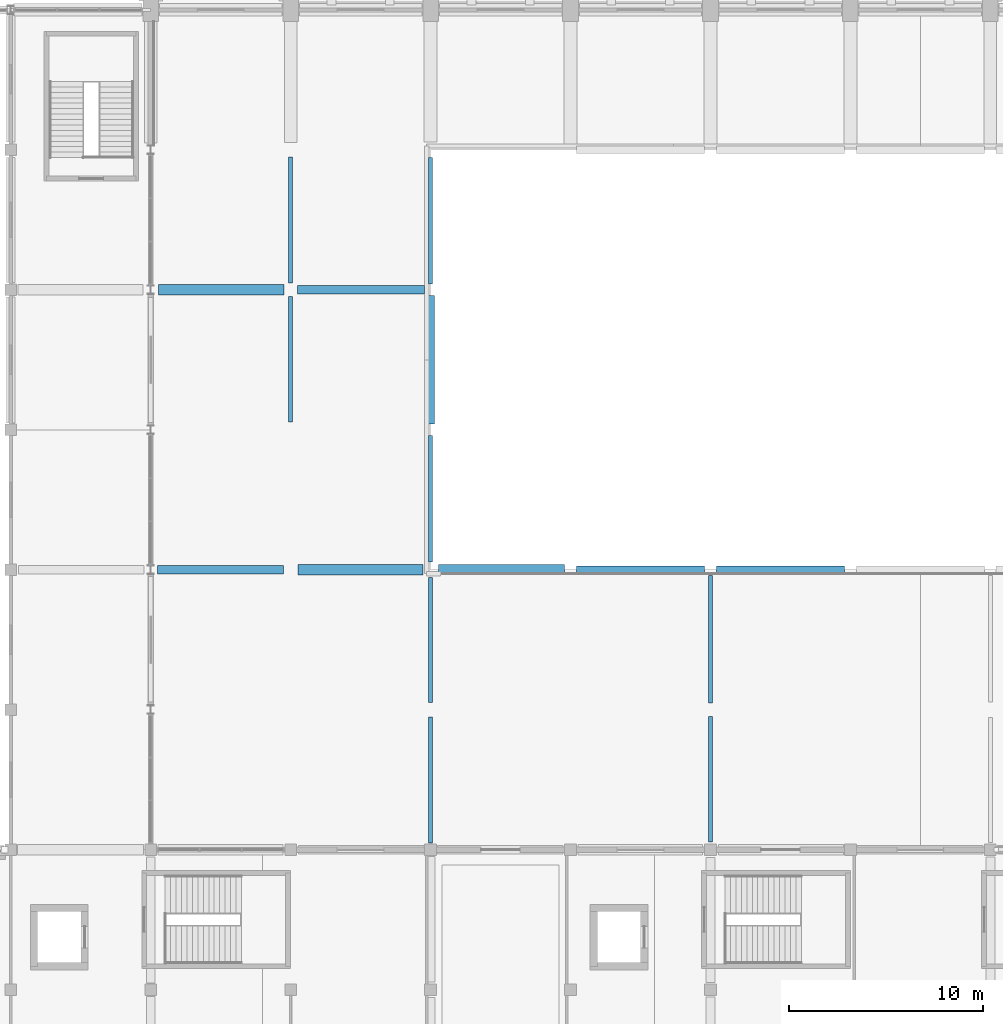
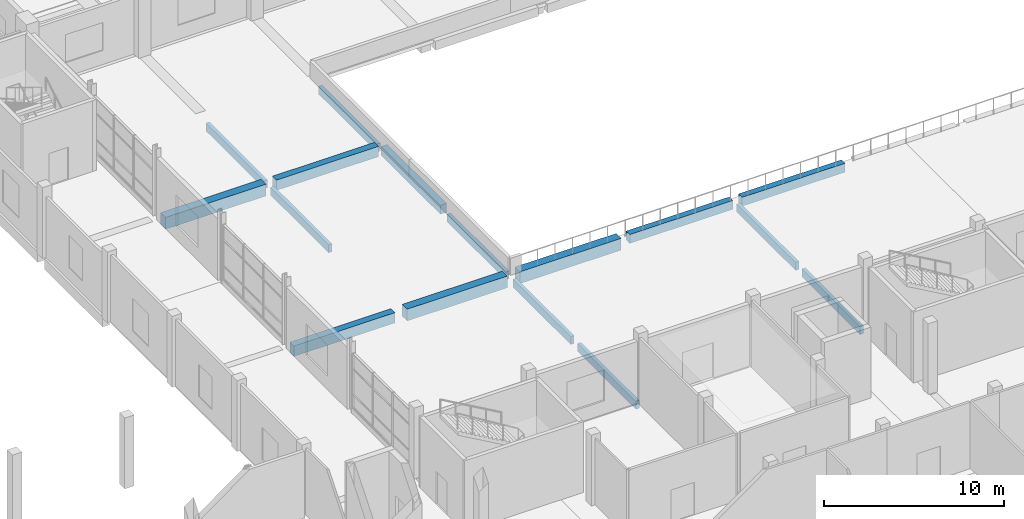
# One storey, part 26 of 82: 16 beams.
"""IFC4 building model written with IfcOpenShell, lengths in metres."""

from ifc_helpers import new_model, si_unit, direction, frame, origin, origin_2d, place, context, subcontext, project, spatial, rectangle, extrude, material, material_profile, profile_set, type_object, element, save


model = new_model("IFC4")

# Units and contexts
model_context = context("Model", 3, precision=1e-05, world=origin(), true_north=direction((0.0, 1.0)))
body_context = subcontext(model_context, "Body", "Model", "MODEL_VIEW")
ifc_project = project(units=[si_unit("LENGTHUNIT", "METRE"), si_unit("AREAUNIT", "SQUARE_METRE"), si_unit("VOLUMEUNIT", "CUBIC_METRE"), si_unit("PLANEANGLEUNIT", "RADIAN"), si_unit("MASSUNIT", "GRAM", prefix="KILO")], contexts=[model_context])

# Site, building, storey
site_placement = place(None, origin())
site = spatial("IfcSite", under=ifc_project, at=site_placement, CompositionType="ELEMENT")
building_placement = place(site_placement, origin())
building = spatial("IfcBuilding", under=site, at=building_placement, Name="Sardonyx Promenade Sports Hall", CompositionType="ELEMENT")
storey_placement = place(building_placement, frame((0.0, 0.0, 11.199951171875)))
storey = spatial("IfcBuildingStorey", under=building, at=storey_placement, Name="L02", CompositionType="ELEMENT", Elevation=11.199951171875)

# Beams
ifc_material_1 = material(Name="Glulam GL28h", Category="wood")
ifc_material_profile_1 = material_profile(ifc_material_1, rectangle(XDim=0.219970703125, YDim=0.5400390625, at=origin_2d()))
ifc_profile_set_1 = profile_set([ifc_material_profile_1], Name="Glulam GL28h")
beam_type_1 = type_object("IfcBeamType", Name="Bm_Gallery_GL540", PredefinedType="BEAM", material=ifc_profile_set_1)
beam_1_placement = place(storey_placement, frame((36.0, 50.800048828125, -0.510009765625), z_axis=(0.0, 1.0, 0.0), x_axis=(-1.0, 0.0, 0.0)))
element("IfcBeam", 1, at=beam_1_placement, inside=storey, type_object=beam_type_1, Name="Beam GLB2 L02 #589", PredefinedType="BEAM", context=body_context, shape_type="SweptSolid", body=[
    extrude(rectangle(XDim=0.219970703125, YDim=0.5400390625, at=origin_2d()), origin(), (0.0, 0.0, 1.0), 6.449951171875),
])
for number, where, z_axis, x_axis, name in (
    (2, (36.0, 57.949951171875, -0.510009765625), (0.0, 1.0, 0.0), (-1.0, 0.0, 0.0), "Beam GLB2 L02 #590"),
    (3, (43.199951171875, 29.14990234375, -0.510009765625), (0.0, 1.0, 0.0), (-1.0, 0.0, 0.0), "Beam GLB2 L02 #596"),
):
    element("IfcBeam", number, at=place(storey_placement, frame(where, z_axis=z_axis, x_axis=x_axis)), inside=storey, type_object=beam_type_1, Name=name, PredefinedType="BEAM", context=body_context, shape_type="SweptSolid", body=[
        extrude(rectangle(XDim=0.219970703125, YDim=0.5400390625, at=origin_2d()), origin(), (0.0, 0.0, 1.0), 6.47509765625),
    ])
beam_2_placement = place(storey_placement, frame((43.199951171875, 36.375, -0.510009765625), z_axis=(0.0, 1.0, 0.0), x_axis=(-1.0, 0.0, 0.0)))
element("IfcBeam", 4, at=beam_2_placement, inside=storey, type_object=beam_type_1, Name="Beam GLB2 L02 #597", PredefinedType="BEAM", context=body_context, shape_type="SweptSolid", body=[
    extrude(rectangle(XDim=0.219970703125, YDim=0.5400390625, at=origin_2d()), origin(), (0.0, 0.0, 1.0), 6.425048828125),
])
for number, where, z_axis, x_axis, name in (
    (5, (43.199951171875, 43.60009765625, -0.510009765625), (0.0, 1.0, 0.0), (-1.0, 0.0, 0.0), "Beam GLB2 L02 #598"),
    (6, (43.199951171875, 57.89990234375, -0.510009765625), (0.0, 1.0, 0.0), (-1.0, 0.0, 0.0), "Beam GLB2 L02 #600"),
):
    element("IfcBeam", number, at=place(storey_placement, frame(where, z_axis=z_axis, x_axis=x_axis)), inside=storey, type_object=beam_type_1, Name=name, PredefinedType="BEAM", context=body_context, shape_type="SweptSolid", body=[
        extrude(rectangle(XDim=0.219970703125, YDim=0.5400390625, at=origin_2d()), origin(), (0.0, 0.0, 1.0), 6.5),
    ])
beam_3_placement = place(storey_placement, frame((57.60009765625, 29.199951171875, -0.510009765625), z_axis=(0.0, 1.0, 0.0), x_axis=(-1.0, 0.0, 0.0)))
element("IfcBeam", 7, at=beam_3_placement, inside=storey, type_object=beam_type_1, Name="Beam GLB2 L02 #607", PredefinedType="BEAM", context=body_context, shape_type="SweptSolid", body=[
    extrude(rectangle(XDim=0.219970703125, YDim=0.5400390625, at=origin_2d()), origin(), (0.0, 0.0, 1.0), 6.449951171875),
])
beam_4_placement = place(storey_placement, frame((57.60009765625, 36.35009765625, -0.510009765625), z_axis=(0.0, 1.0, 0.0), x_axis=(-1.0, 0.0, 0.0)))
element("IfcBeam", 8, at=beam_4_placement, inside=storey, type_object=beam_type_1, Name="Beam GLB2 L02 #608", PredefinedType="BEAM", context=body_context, shape_type="SweptSolid", body=[
    extrude(rectangle(XDim=0.219970703125, YDim=0.5400390625, at=origin_2d()), origin(), (0.0, 0.0, 1.0), 6.5498046875),
])
ifc_material_2 = material(Name="Concrete C40/50", Category="concrete")
ifc_material_profile_2 = material_profile(ifc_material_2, rectangle(XDim=0.550048828125, YDim=0.800048828125, at=origin_2d()))
ifc_profile_set_2 = profile_set([ifc_material_profile_2], Name="Concrete C40/50")
beam_type_2 = type_object("IfcBeamType", Name="Bm_Girder_RC800", PredefinedType="BEAM", material=ifc_profile_set_2)
beam_5_placement = place(storey_placement, frame((36.375, 43.199951171875, -0.39990234375), z_axis=(1.0, 0.0, 0.0), x_axis=(0.0, 1.0, 0.0)))
element("IfcBeam", 9, at=beam_5_placement, inside=storey, type_object=beam_type_2, Name="Beam BG04 L02 #518", PredefinedType="BEAM", context=body_context, shape_type="SweptSolid", body=[
    extrude(rectangle(XDim=0.550048828125, YDim=0.800048828125, at=origin_2d()), origin(), (0.0, 0.0, 1.0), 6.425048828125),
])
beam_6_placement = place(storey_placement, frame((43.60009765625, 43.199951171875, -0.39990234375), z_axis=(1.0, 0.0, 0.0), x_axis=(0.0, 1.0, 0.0)))
element("IfcBeam", 10, at=beam_6_placement, inside=storey, type_object=beam_type_2, Name="Beam BG04 L02 #519", PredefinedType="BEAM", context=body_context, shape_type="SweptSolid", body=[
    extrude(rectangle(XDim=0.550048828125, YDim=0.800048828125, at=origin_2d()), origin(), (0.0, 0.0, 1.0), 6.5),
])
beam_7_placement = place(storey_placement, frame((29.199951171875, 57.60009765625, -0.39990234375), z_axis=(1.0, 0.0, 0.0), x_axis=(0.0, 1.0, 0.0)))
element("IfcBeam", 11, at=beam_7_placement, inside=storey, type_object=beam_type_2, Name="Beam BG04 L02 #537", PredefinedType="BEAM", context=body_context, shape_type="SweptSolid", body=[
    extrude(rectangle(XDim=0.550048828125, YDim=0.800048828125, at=origin_2d()), origin(), (0.0, 0.0, 1.0), 6.449951171875),
])
ifc_material_3 = material(Name="Concrete C40/50", Category="concrete")
ifc_material_profile_3 = material_profile(ifc_material_3, rectangle(XDim=0.449951171875, YDim=0.699951171875, at=origin_2d()))
ifc_profile_set_3 = profile_set([ifc_material_profile_3], Name="Concrete C40/50")
beam_type_3 = type_object("IfcBeamType", Name="Bm_Primary_RC700", PredefinedType="BEAM", material=ifc_profile_set_3)
beam_8_placement = place(storey_placement, frame((29.14990234375, 43.199951171875, -0.349853515625), z_axis=(1.0, 0.0, 0.0), x_axis=(0.0, 1.0, 0.0)))
element("IfcBeam", 12, at=beam_8_placement, inside=storey, type_object=beam_type_3, Name="Beam BG01 L02 #517", PredefinedType="BEAM", context=body_context, shape_type="SweptSolid", body=[
    extrude(rectangle(XDim=0.449951171875, YDim=0.699951171875, at=origin_2d()), origin(), (0.0, 0.0, 1.0), 6.47509765625),
])
beam_9_placement = place(storey_placement, frame((36.35009765625, 57.60009765625, -0.349853515625), z_axis=(1.0, 0.0, 0.0), x_axis=(0.0, 1.0, 0.0)))
element("IfcBeam", 13, at=beam_9_placement, inside=storey, type_object=beam_type_3, Name="Beam BG01 L02 #538", PredefinedType="BEAM", context=body_context, shape_type="SweptSolid", body=[
    extrude(rectangle(XDim=0.449951171875, YDim=0.699951171875, at=origin_2d()), origin(), (0.0, 0.0, 1.0), 6.5498046875),
])
ifc_material_4 = material(Name="Concrete C40/50", Category="concrete")
ifc_material_profile_4 = material_profile(ifc_material_4, rectangle(XDim=0.39990234375, YDim=0.60009765625, at=origin_2d()))
ifc_profile_set_4 = profile_set([ifc_material_profile_4], Name="Concrete C40/50")
beam_type_4 = type_object("IfcBeamType", Name="Bm_Spandrel_RC600", PredefinedType="SPANDREL", material=ifc_profile_set_4)
for number, where, z_axis, x_axis, name in (
    (14, (50.699951171875, 43.199951171875, -0.300048828125), (1.0, 0.0, 0.0), (0.0, 1.0, 0.0), "Beam SPB1 L02 #520"),
    (15, (57.89990234375, 43.199951171875, -0.300048828125), (1.0, 0.0, 0.0), (0.0, 1.0, 0.0), "Beam SPB1 L02 #521"),
    (16, (43.199951171875, 50.699951171875, -0.300048828125), (0.0, 1.0, 0.0), (-1.0, 0.0, 0.0), "Beam SPB1 L02 #599"),
):
    element("IfcBeam", number, at=place(storey_placement, frame(where, z_axis=z_axis, x_axis=x_axis)), inside=storey, type_object=beam_type_4, Name=name, PredefinedType="SPANDREL", context=body_context, shape_type="SweptSolid", body=[
        extrude(rectangle(XDim=0.39990234375, YDim=0.60009765625, at=origin_2d()), origin(), (0.0, 0.0, 1.0), 6.60009765625),
    ])

save(model, "model.ifc")
